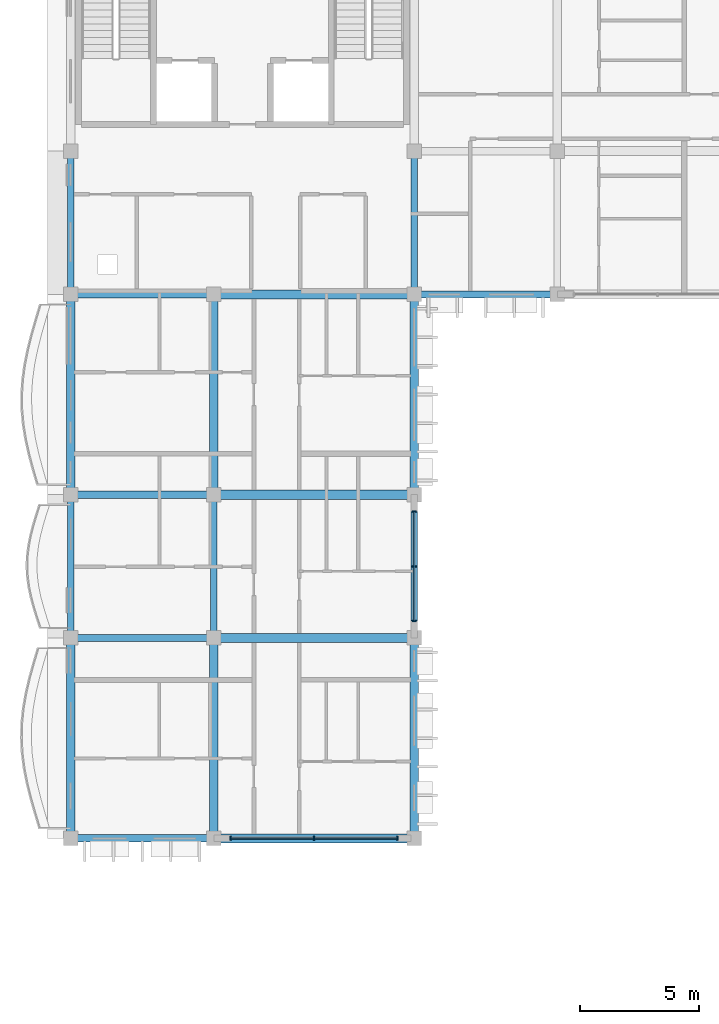
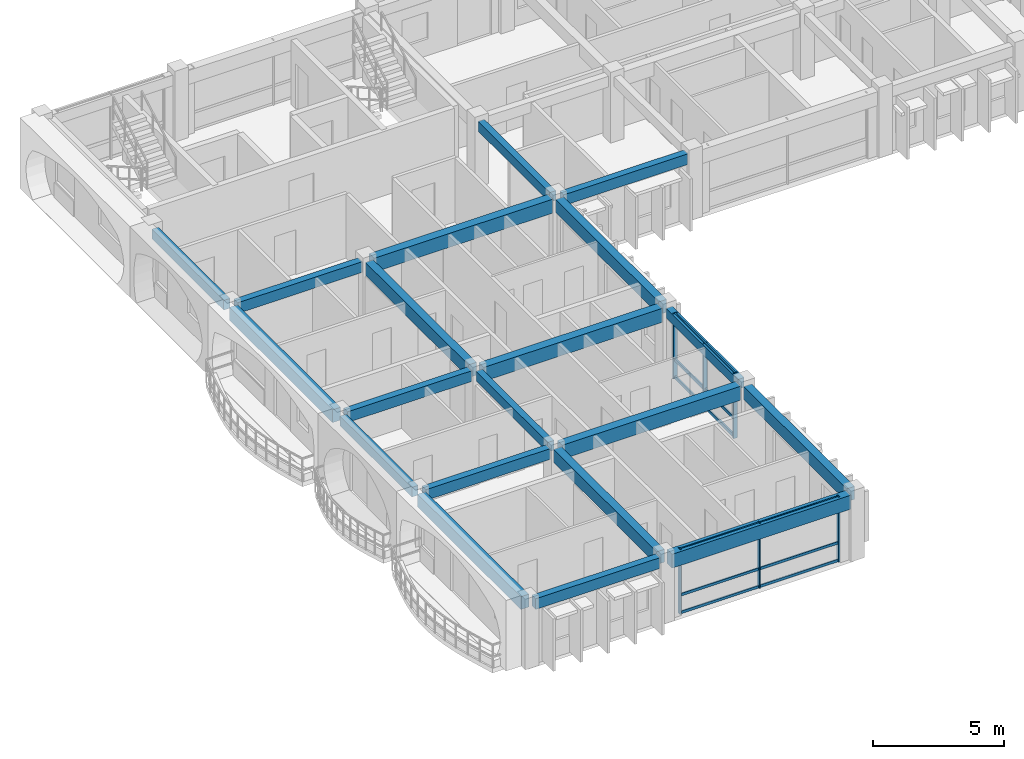
# One storey, part 8 of 54: 20 beams, 12 members, 2 elements without a shape of their own.
"""IFC4 building model written with IfcOpenShell, lengths in metres."""

from ifc_helpers import new_model, si_unit, direction, frame, origin, origin_2d, place, context, subcontext, project, spatial, rectangle, extrude, material, material_profile, profile_set, type_object, element, aggregate, save


model = new_model("IFC4")

# Units and contexts
model_context = context("Model", 3, precision=1e-05, world=origin(), true_north=direction((0.0, 1.0)))
body_context = subcontext(model_context, "Body", "Model", "MODEL_VIEW")
ifc_project = project(units=[si_unit("LENGTHUNIT", "METRE"), si_unit("AREAUNIT", "SQUARE_METRE"), si_unit("VOLUMEUNIT", "CUBIC_METRE"), si_unit("PLANEANGLEUNIT", "RADIAN"), si_unit("MASSUNIT", "GRAM", prefix="KILO"), si_unit("THERMODYNAMICTEMPERATUREUNIT", "KELVIN")], contexts=[model_context])

# Site, building, storey
site_placement = place(None, origin())
site = spatial("IfcSite", under=ifc_project, at=site_placement, CompositionType="ELEMENT")
building_placement = place(site_placement, origin())
building = spatial("IfcBuilding", under=site, at=building_placement, Name="Thalorik Housing Commons", CompositionType="ELEMENT")
storey_placement = place(building_placement, frame((0.0, 0.0, 31.199951171875)))
storey = spatial("IfcBuildingStorey", under=building, at=storey_placement, Name="L09", CompositionType="ELEMENT", Elevation=31.199951171875)

# Curtain wall, members
ifc_material_1 = material(Name="Anodised aluminium and solar-control low-E glass", Category="aluminium")
curtain_wall_type = type_object("IfcCurtainWallType", Name="ARC-CW-LOUNGE", PredefinedType="USERDEFINED", material=ifc_material_1)
curtain_wall_1_placement = place(storey_placement, origin())
curtain_wall_1 = element("IfcCurtainWall", 1, at=curtain_wall_1_placement, inside=storey, type_object=curtain_wall_type, Name="L09 Curtain Wall CW-RES-L09-A-043", ObjectType="CURTAIN WALL", PredefinedType="USERDEFINED")
ifc_material_2 = material(Name="Anodised aluminium 6063-T6", Category="aluminium")
ifc_material_profile_1 = material_profile(ifc_material_2, rectangle(XDim=0.06005859375, YDim=0.159912109375, at=origin_2d()), Name="ALU MUL 60x160", Category="aluminium")
ifc_profile_set_1 = profile_set([ifc_material_profile_1], Name="Anodised aluminium 6063-T6")
member_type_1 = type_object("IfcMemberType", Name="ARC-CW-MUL-60x160", PredefinedType="MULLION", material=ifc_profile_set_1)
member_1_placement = place(storey_placement, frame((15.10009765625, 86.39990234375, 0.0), z_axis=(0.0, 0.0, 1.0), x_axis=(1.0, 0.0, 0.0)))
member_1 = element("IfcMember", 2, at=member_1_placement, type_object=member_type_1, Name="CW-RES-L09-A-043 Mullion 1", PredefinedType="MULLION", context=body_context, shape_type="SweptSolid", body=[
    extrude(rectangle(XDim=0.06005859375, YDim=0.159912109375, at=origin_2d()), origin(), (0.0, 0.0, 1.0), 3.0400390625),
])
member_2_placement = place(storey_placement, frame((18.60009765625, 86.39990234375, 0.0), z_axis=(0.0, 0.0, 1.0), x_axis=(1.0, 0.0, 0.0)))
member_2 = element("IfcMember", 3, at=member_2_placement, type_object=member_type_1, Name="CW-RES-L09-A-043 Mullion 2", PredefinedType="MULLION", context=body_context, shape_type="SweptSolid", body=[
    extrude(rectangle(XDim=0.06005859375, YDim=0.159912109375, at=origin_2d()), origin(), (0.0, 0.0, 1.0), 3.0400390625),
])
member_3_placement = place(storey_placement, frame((22.10009765625, 86.39990234375, 0.0), z_axis=(0.0, 0.0, 1.0), x_axis=(1.0, 0.0, 0.0)))
member_3 = element("IfcMember", 4, at=member_3_placement, type_object=member_type_1, Name="CW-RES-L09-A-043 Mullion 3", PredefinedType="MULLION", context=body_context, shape_type="SweptSolid", body=[
    extrude(rectangle(XDim=0.06005859375, YDim=0.159912109375, at=origin_2d()), origin(), (0.0, 0.0, 1.0), 3.0400390625),
])

curtain_wall_2_placement = place(storey_placement, origin())
curtain_wall_2 = element("IfcCurtainWall", 5, at=curtain_wall_2_placement, inside=storey, type_object=curtain_wall_type, Name="L09 Curtain Wall CW-RES-L09-A-044", ObjectType="CURTAIN WALL", PredefinedType="USERDEFINED")
ifc_material_profile_2 = material_profile(ifc_material_2, rectangle(XDim=0.06494140625, YDim=0.179931640625, at=origin_2d()), Name="ALU MUL 65x180", Category="aluminium")
ifc_profile_set_2 = profile_set([ifc_material_profile_2], Name="Anodised aluminium 6063-T6")
member_type_2 = type_object("IfcMemberType", Name="ARC-CW-MUL-65x180", PredefinedType="MULLION", material=ifc_profile_set_2)
member_4_placement = place(storey_placement, frame((22.800048828125, 95.5, 0.0), z_axis=(0.0, 0.0, 1.0), x_axis=(0.0, 1.0, 0.0)))
member_4 = element("IfcMember", 6, at=member_4_placement, type_object=member_type_2, Name="CW-RES-L09-A-044 Mullion 1", PredefinedType="MULLION", context=body_context, shape_type="SweptSolid", body=[
    extrude(rectangle(XDim=0.06494140625, YDim=0.179931640625, at=origin_2d()), origin(), (0.0, 0.0, 1.0), 3.0400390625),
])
member_5_placement = place(storey_placement, frame((22.800048828125, 97.800048828125, 0.0), z_axis=(0.0, 0.0, 1.0), x_axis=(0.0, 1.0, 0.0)))
member_5 = element("IfcMember", 7, at=member_5_placement, type_object=member_type_2, Name="CW-RES-L09-A-044 Mullion 2", PredefinedType="MULLION", context=body_context, shape_type="SweptSolid", body=[
    extrude(rectangle(XDim=0.06494140625, YDim=0.179931640625, at=origin_2d()), origin(), (0.0, 0.0, 1.0), 3.0400390625),
])
member_6_placement = place(storey_placement, frame((22.800048828125, 100.10009765625, 0.0), z_axis=(0.0, 0.0, 1.0), x_axis=(0.0, 1.0, 0.0)))
member_6 = element("IfcMember", 8, at=member_6_placement, type_object=member_type_2, Name="CW-RES-L09-A-044 Mullion 3", PredefinedType="MULLION", context=body_context, shape_type="SweptSolid", body=[
    extrude(rectangle(XDim=0.06494140625, YDim=0.179931640625, at=origin_2d()), origin(), (0.0, 0.0, 1.0), 3.0400390625),
])

# Member
ifc_material_profile_3 = material_profile(ifc_material_2, rectangle(XDim=0.06005859375, YDim=0.1201171875, at=origin_2d()), Name="ALU TRN 60x120", Category="aluminium")
ifc_profile_set_3 = profile_set([ifc_material_profile_3], Name="Anodised aluminium 6063-T6")
member_type_3 = type_object("IfcMemberType", Name="ARC-CW-TRN-60x120", PredefinedType="USERDEFINED", material=ifc_profile_set_3)
member_7_placement = place(storey_placement, frame((15.10009765625, 86.39990234375, 0.054931640625), z_axis=(1.0, 0.0, 0.0), x_axis=(0.0, 1.0, 0.0)))
member_7 = element("IfcMember", 9, at=member_7_placement, type_object=member_type_3, Name="CW-RES-L09-A-043 Transom 1", ObjectType="TRANSOM", PredefinedType="USERDEFINED", context=body_context, shape_type="SweptSolid", body=[
    extrude(rectangle(XDim=0.06005859375, YDim=0.1201171875, at=origin_2d()), origin(), (0.0, 0.0, 1.0), 7.0),
])

member_8_placement = place(storey_placement, frame((15.10009765625, 86.39990234375, 0.880126953125), z_axis=(1.0, 0.0, 0.0), x_axis=(0.0, 1.0, 0.0)))
member_8 = element("IfcMember", 10, at=member_8_placement, type_object=member_type_3, Name="CW-RES-L09-A-043 Transom 2", ObjectType="TRANSOM", PredefinedType="USERDEFINED", context=body_context, shape_type="SweptSolid", body=[
    extrude(rectangle(XDim=0.06005859375, YDim=0.1201171875, at=origin_2d()), origin(), (0.0, 0.0, 1.0), 7.0),
])

member_9_placement = place(storey_placement, frame((15.10009765625, 86.39990234375, 2.985107421875), z_axis=(1.0, 0.0, 0.0), x_axis=(0.0, 1.0, 0.0)))
member_9 = element("IfcMember", 11, at=member_9_placement, type_object=member_type_3, Name="CW-RES-L09-A-043 Transom 3", ObjectType="TRANSOM", PredefinedType="USERDEFINED", context=body_context, shape_type="SweptSolid", body=[
    extrude(rectangle(XDim=0.06005859375, YDim=0.1201171875, at=origin_2d()), origin(), (0.0, 0.0, 1.0), 7.0),
])

aggregate(curtain_wall_1, [member_1, member_2, member_3, member_7, member_8, member_9])

ifc_material_profile_4 = material_profile(ifc_material_2, rectangle(XDim=0.06494140625, YDim=0.14990234375, at=origin_2d()), Name="ALU TRN 65x150", Category="aluminium")
ifc_profile_set_4 = profile_set([ifc_material_profile_4], Name="Anodised aluminium 6063-T6")
member_type_4 = type_object("IfcMemberType", Name="ARC-CW-TRN-65x150", PredefinedType="USERDEFINED", material=ifc_profile_set_4)
member_10_placement = place(storey_placement, frame((22.800048828125, 95.5, 0.054931640625), z_axis=(0.0, 1.0, 0.0), x_axis=(-1.0, 0.0, 0.0)))
member_10 = element("IfcMember", 12, at=member_10_placement, type_object=member_type_4, Name="CW-RES-L09-A-044 Transom 1", ObjectType="TRANSOM", PredefinedType="USERDEFINED", context=body_context, shape_type="SweptSolid", body=[
    extrude(rectangle(XDim=0.06494140625, YDim=0.14990234375, at=origin_2d()), origin(), (0.0, 0.0, 1.0), 4.60009765625),
])

member_11_placement = place(storey_placement, frame((22.800048828125, 95.5, 0.880126953125), z_axis=(0.0, 1.0, 0.0), x_axis=(-1.0, 0.0, 0.0)))
member_11 = element("IfcMember", 13, at=member_11_placement, type_object=member_type_4, Name="CW-RES-L09-A-044 Transom 2", ObjectType="TRANSOM", PredefinedType="USERDEFINED", context=body_context, shape_type="SweptSolid", body=[
    extrude(rectangle(XDim=0.06494140625, YDim=0.14990234375, at=origin_2d()), origin(), (0.0, 0.0, 1.0), 4.60009765625),
])

member_12_placement = place(storey_placement, frame((22.800048828125, 95.5, 2.985107421875), z_axis=(0.0, 1.0, 0.0), x_axis=(-1.0, 0.0, 0.0)))
member_12 = element("IfcMember", 14, at=member_12_placement, type_object=member_type_4, Name="CW-RES-L09-A-044 Transom 3", ObjectType="TRANSOM", PredefinedType="USERDEFINED", context=body_context, shape_type="SweptSolid", body=[
    extrude(rectangle(XDim=0.06494140625, YDim=0.14990234375, at=origin_2d()), origin(), (0.0, 0.0, 1.0), 4.60009765625),
])

aggregate(curtain_wall_2, [member_4, member_5, member_6, member_10, member_11, member_12])

# Beams
ifc_material_3 = material(Name="Precast concrete C40/50", Category="concrete")
ifc_material_profile_5 = material_profile(ifc_material_3, rectangle(XDim=0.280029296875, YDim=0.449951171875, at=origin_2d()), Name="PC 280x450", Category="concrete")
ifc_profile_set_5 = profile_set([ifc_material_profile_5], Name="Precast concrete C40/50")
beam_type_1 = type_object("IfcBeamType", Name="STR-BM-PC280x450", PredefinedType="BEAM", material=ifc_profile_set_5)
for number, where, z_axis, x_axis, name in (
    (15, (8.39990234375, 95.050048828125, 2.81494140625), (0.0, 1.0, 0.0), (-1.0, 0.0, 0.0), "L09 Beam B-450"),
    (16, (8.39990234375, 109.449951171875, 2.81494140625), (0.0, 1.0, 0.0), (-1.0, 0.0, 0.0), "L09 Beam B-450"),
    (17, (14.39990234375, 95.050048828125, 2.81494140625), (0.0, 1.0, 0.0), (-1.0, 0.0, 0.0), "L09 Beam B-450"),
    (18, (22.800048828125, 95.050048828125, 2.81494140625), (0.0, 1.0, 0.0), (-1.0, 0.0, 0.0), "L09 Beam B-450"),
    (19, (22.800048828125, 109.449951171875, 2.81494140625), (0.0, 1.0, 0.0), (-1.0, 0.0, 0.0), "L09 Beam B-450"),
):
    element("IfcBeam", number, at=place(storey_placement, frame(where, z_axis=z_axis, x_axis=x_axis)), inside=storey, type_object=beam_type_1, Name=name, PredefinedType="BEAM", context=body_context, shape_type="SweptSolid", body=[
        extrude(rectangle(XDim=0.280029296875, YDim=0.449951171875, at=origin_2d()), origin(), (0.0, 0.0, 1.0), 5.5),
    ])
ifc_material_profile_6 = material_profile(ifc_material_3, rectangle(XDim=0.300048828125, YDim=0.5, at=origin_2d()), Name="PC 300x500", Category="concrete")
ifc_profile_set_6 = profile_set([ifc_material_profile_6], Name="Precast concrete C40/50")
beam_type_2 = type_object("IfcBeamType", Name="STR-BM-PC300x500", PredefinedType="BEAM", material=ifc_profile_set_6)
for number, where, z_axis, x_axis, name in (
    (20, (8.64990234375, 86.39990234375, 2.7900390625), (1.0, 0.0, 0.0), (0.0, 1.0, 0.0), "L09 Beam B-500"),
    (21, (8.64990234375, 94.800048828125, 2.7900390625), (1.0, 0.0, 0.0), (0.0, 1.0, 0.0), "L09 Beam B-500"),
    (22, (8.64990234375, 100.800048828125, 2.7900390625), (1.0, 0.0, 0.0), (0.0, 1.0, 0.0), "L09 Beam B-500"),
    (23, (8.64990234375, 109.199951171875, 2.7900390625), (1.0, 0.0, 0.0), (0.0, 1.0, 0.0), "L09 Beam B-500"),
    (24, (23.050048828125, 109.199951171875, 2.7900390625), (1.0, 0.0, 0.0), (0.0, 1.0, 0.0), "L09 Beam B-500"),
):
    element("IfcBeam", number, at=place(storey_placement, frame(where, z_axis=z_axis, x_axis=x_axis)), inside=storey, type_object=beam_type_2, Name=name, PredefinedType="BEAM", context=body_context, shape_type="SweptSolid", body=[
        extrude(rectangle(XDim=0.300048828125, YDim=0.5, at=origin_2d()), origin(), (0.0, 0.0, 1.0), 5.5),
    ])
ifc_material_profile_7 = material_profile(ifc_material_3, rectangle(XDim=0.35009765625, YDim=0.60009765625, at=origin_2d()), Name="PC 350x600", Category="concrete")
ifc_profile_set_7 = profile_set([ifc_material_profile_7], Name="Precast concrete C40/50")
beam_type_3 = type_object("IfcBeamType", Name="STR-BM-PC350x600", PredefinedType="BEAM", material=ifc_profile_set_7)
beam_1_placement = place(storey_placement, frame((8.39990234375, 86.64990234375, 2.739990234375), z_axis=(0.0, 1.0, 0.0), x_axis=(-1.0, 0.0, 0.0)))
element("IfcBeam", 25, at=beam_1_placement, inside=storey, type_object=beam_type_3, Name="L09 Beam B-600", PredefinedType="BEAM", context=body_context, shape_type="SweptSolid", body=[
    extrude(rectangle(XDim=0.35009765625, YDim=0.60009765625, at=origin_2d()), origin(), (0.0, 0.0, 1.0), 7.900146484375),
])
beam_2_placement = place(storey_placement, frame((8.39990234375, 101.050048828125, 2.739990234375), z_axis=(0.0, 1.0, 0.0), x_axis=(-1.0, 0.0, 0.0)))
element("IfcBeam", 26, at=beam_2_placement, inside=storey, type_object=beam_type_3, Name="L09 Beam B-600", PredefinedType="BEAM", context=body_context, shape_type="SweptSolid", body=[
    extrude(rectangle(XDim=0.35009765625, YDim=0.60009765625, at=origin_2d()), origin(), (0.0, 0.0, 1.0), 7.89990234375),
])
beam_3_placement = place(storey_placement, frame((14.39990234375, 86.64990234375, 2.739990234375), z_axis=(0.0, 1.0, 0.0), x_axis=(-1.0, 0.0, 0.0)))
element("IfcBeam", 27, at=beam_3_placement, inside=storey, type_object=beam_type_3, Name="L09 Beam B-600", PredefinedType="BEAM", context=body_context, shape_type="SweptSolid", body=[
    extrude(rectangle(XDim=0.35009765625, YDim=0.60009765625, at=origin_2d()), origin(), (0.0, 0.0, 1.0), 7.900146484375),
])
beam_4_placement = place(storey_placement, frame((14.39990234375, 101.050048828125, 2.739990234375), z_axis=(0.0, 1.0, 0.0), x_axis=(-1.0, 0.0, 0.0)))
element("IfcBeam", 28, at=beam_4_placement, inside=storey, type_object=beam_type_3, Name="L09 Beam B-600", PredefinedType="BEAM", context=body_context, shape_type="SweptSolid", body=[
    extrude(rectangle(XDim=0.35009765625, YDim=0.60009765625, at=origin_2d()), origin(), (0.0, 0.0, 1.0), 7.89990234375),
])
beam_5_placement = place(storey_placement, frame((22.800048828125, 86.64990234375, 2.739990234375), z_axis=(0.0, 1.0, 0.0), x_axis=(-1.0, 0.0, 0.0)))
element("IfcBeam", 29, at=beam_5_placement, inside=storey, type_object=beam_type_3, Name="L09 Beam B-600", PredefinedType="BEAM", context=body_context, shape_type="SweptSolid", body=[
    extrude(rectangle(XDim=0.35009765625, YDim=0.60009765625, at=origin_2d()), origin(), (0.0, 0.0, 1.0), 7.900146484375),
])
beam_6_placement = place(storey_placement, frame((22.800048828125, 101.050048828125, 2.739990234375), z_axis=(0.0, 1.0, 0.0), x_axis=(-1.0, 0.0, 0.0)))
element("IfcBeam", 30, at=beam_6_placement, inside=storey, type_object=beam_type_3, Name="L09 Beam B-600", PredefinedType="BEAM", context=body_context, shape_type="SweptSolid", body=[
    extrude(rectangle(XDim=0.35009765625, YDim=0.60009765625, at=origin_2d()), origin(), (0.0, 0.0, 1.0), 7.89990234375),
])
ifc_material_profile_8 = material_profile(ifc_material_3, rectangle(XDim=0.3798828125, YDim=0.64990234375, at=origin_2d()), Name="PC 380x650", Category="concrete")
ifc_profile_set_8 = profile_set([ifc_material_profile_8], Name="Precast concrete C40/50")
beam_type_4 = type_object("IfcBeamType", Name="STR-BM-PC380x650", PredefinedType="BEAM", material=ifc_profile_set_8)
for number, where, z_axis, x_axis, name in (
    (31, (14.64990234375, 86.39990234375, 2.715087890625), (1.0, 0.0, 0.0), (0.0, 1.0, 0.0), "L09 Beam B-650"),
    (32, (14.64990234375, 94.800048828125, 2.715087890625), (1.0, 0.0, 0.0), (0.0, 1.0, 0.0), "L09 Beam B-650"),
    (33, (14.64990234375, 100.800048828125, 2.715087890625), (1.0, 0.0, 0.0), (0.0, 1.0, 0.0), "L09 Beam B-650"),
    (34, (14.64990234375, 109.199951171875, 2.715087890625), (1.0, 0.0, 0.0), (0.0, 1.0, 0.0), "L09 Beam B-650"),
):
    element("IfcBeam", number, at=place(storey_placement, frame(where, z_axis=z_axis, x_axis=x_axis)), inside=storey, type_object=beam_type_4, Name=name, PredefinedType="BEAM", context=body_context, shape_type="SweptSolid", body=[
        extrude(rectangle(XDim=0.3798828125, YDim=0.64990234375, at=origin_2d()), origin(), (0.0, 0.0, 1.0), 7.900146484375),
    ])

save(model, "model.ifc")
